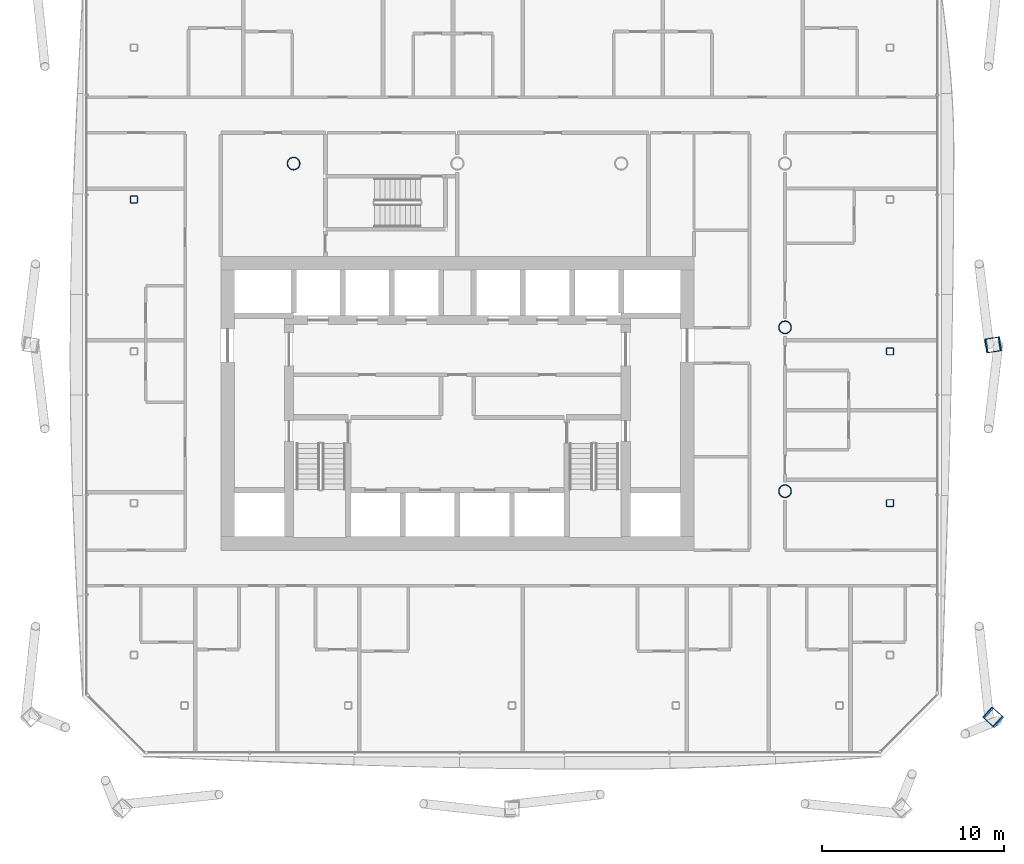
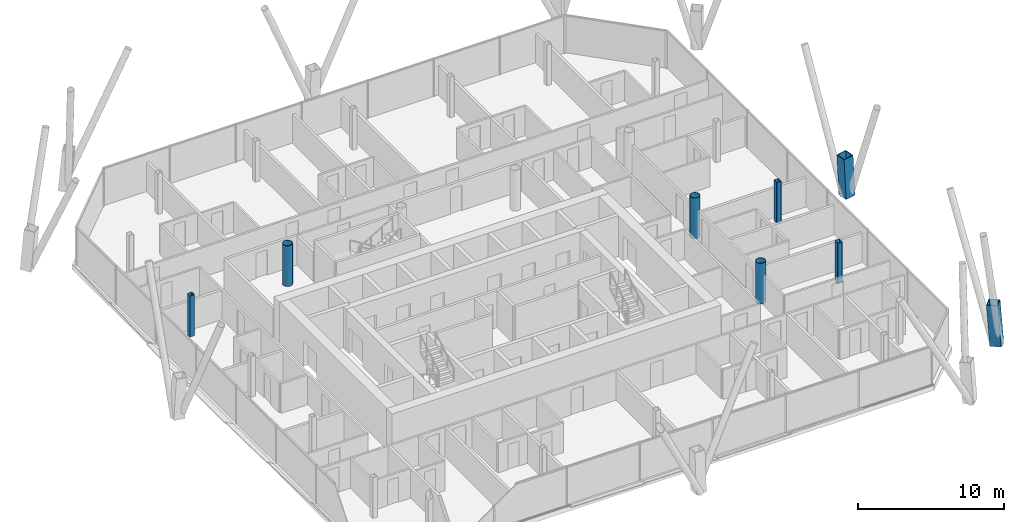
# One storey, part 2 of 22: 8 columns.
"""IFC4 building model written with IfcOpenShell, lengths in metres."""

from ifc_helpers import new_model, si_unit, direction, frame, origin, origin_2d, place, context, subcontext, project, spatial, hollow_rectangle, hollow_circle, extrude, material, material_profile, profile_set, type_object, element, save


model = new_model("IFC4")

# Units and contexts
model_context = context("Model", 3, precision=1e-05, world=origin(), true_north=direction((0.0, 1.0)))
body_context = subcontext(model_context, "Body", "Model", "MODEL_VIEW")
ifc_project = project(units=[si_unit("LENGTHUNIT", "METRE"), si_unit("AREAUNIT", "SQUARE_METRE"), si_unit("VOLUMEUNIT", "CUBIC_METRE"), si_unit("PLANEANGLEUNIT", "RADIAN"), si_unit("MASSUNIT", "GRAM", prefix="KILO")], contexts=[model_context])

# Site, building, storey
site_placement = place(None, origin())
site = spatial("IfcSite", under=ifc_project, at=site_placement, CompositionType="ELEMENT")
building_placement = place(site_placement, origin())
building = spatial("IfcBuilding", under=site, at=building_placement, Name="Tskaro Facet Tower", CompositionType="ELEMENT")
storey_placement = place(building_placement, frame((0.0, 0.0, 121.5)))
storey = spatial("IfcBuildingStorey", under=building, at=storey_placement, Name="L28", CompositionType="ELEMENT", Elevation=121.5)

# Columns
ifc_material_1 = material(Name="Steel S460M", Category="steel")
ifc_material_profile_1 = material_profile(ifc_material_1, hollow_rectangle(XDim=0.800048828125, YDim=0.800048828125, WallThickness=0.050048828125, at=origin_2d()), Name="BOX 800x800x50")
ifc_profile_set_1 = profile_set([ifc_material_profile_1], Name="Steel S460M")
column_type_1 = type_object("IfcColumnType", Name="BOX 800x800x50 mega column", PredefinedType="COLUMN", material=ifc_profile_set_1)
column_1_placement = place(storey_placement, frame((29.467041015625, -21.450927734375, 0.0), z_axis=(-0.0537135971, 0.048986800555, 0.997354070959), x_axis=(-0.673848784787, -0.738869281565, 0.0)))
element("IfcColumn", 1, at=column_1_placement, inside=storey, type_object=column_type_1, Name="BOX 800x800x50 MC04/3", PredefinedType="COLUMN", context=body_context, shape_type="SweptSolid", body=[
    extrude(hollow_rectangle(XDim=0.800048828125, YDim=0.800048828125, WallThickness=0.050048828125, at=origin_2d()), origin(), (0.0, 0.0, 1.0), 3.408935546875),
])
column_2_placement = place(storey_placement, frame((29.467041015625, -0.95703125, 0.0), z_axis=(-0.053776204111, -0.008532491052, 0.998516557934), x_axis=(0.156706377373, -0.987645235543, 0.0)))
element("IfcColumn", 2, at=column_2_placement, inside=storey, type_object=column_type_1, Name="BOX 800x800x50 MC05/3", PredefinedType="COLUMN", context=body_context, shape_type="SweptSolid", body=[
    extrude(hollow_rectangle(XDim=0.800048828125, YDim=0.800048828125, WallThickness=0.050048828125, at=origin_2d()), origin(), (0.0, 0.0, 1.0), 3.405029296875),
])
ifc_material_2 = material(Name="Steel S355J2H", Category="steel")
ifc_material_profile_2 = material_profile(ifc_material_2, hollow_circle(Radius=0.35546875, WallThickness=0.031982421875, at=origin_2d()), Name="CHS 711x32")
ifc_profile_set_2 = profile_set([ifc_material_profile_2], Name="Steel S355J2H")
column_type_2 = type_object("IfcColumnType", Name="CHS 711x32 interior column", PredefinedType="COLUMN", material=ifc_profile_set_2)
for number, where, z_axis, x_axis, name in (
    (3, (-9.0, 9.0, 0.0), (0.0, 0.0, 1.0), (1.0, 0.0, 0.0), "CHS 711x32 C3E/3"),
    (4, (18.0, -9.0, 0.0), (0.0, 0.0, 1.0), (1.0, 0.0, 0.0), "CHS 711x32 C6C/3"),
    (5, (18.0, 0.0, 0.0), (0.0, 0.0, 1.0), (1.0, 0.0, 0.0), "CHS 711x32 C6D/3"),
):
    element("IfcColumn", number, at=place(storey_placement, frame(where, z_axis=z_axis, x_axis=x_axis)), inside=storey, type_object=column_type_2, Name=name, PredefinedType="COLUMN", context=body_context, shape_type="SweptSolid", body=[
        extrude(hollow_circle(Radius=0.35546875, WallThickness=0.031982421875, at=origin_2d()), origin(), (0.0, 0.0, 1.0), 3.39990234375),
    ])
ifc_material_profile_3 = material_profile(ifc_material_2, hollow_rectangle(XDim=0.39990234375, YDim=0.39990234375, WallThickness=0.02001953125, InnerFilletRadius=0.030029296875, OuterFilletRadius=0.050048828125, at=origin_2d()), Name="SHS 400x400x20")
ifc_profile_set_3 = profile_set([ifc_material_profile_3], Name="Steel S355J2H")
column_type_3 = type_object("IfcColumnType", Name="SHS 400x400x20 ring column", PredefinedType="COLUMN", material=ifc_profile_set_3)
for number, where, z_axis, x_axis, name in (
    (6, (23.77392578125, -9.656982421875, 0.0), (0.0, 0.0, 1.0), (1.0, 0.0, 0.0), "SHS 400x400x20 RE-2/3"),
    (7, (23.77392578125, -1.31591796875, 0.0), (0.0, 0.0, 1.0), (1.0, 0.0, 0.0), "SHS 400x400x20 RE-3/3"),
    (8, (-17.77392578125, 7.02587890625, 0.0), (0.0, 0.0, 1.0), (1.0, 0.0, 0.0), "SHS 400x400x20 RW-2/3"),
):
    element("IfcColumn", number, at=place(storey_placement, frame(where, z_axis=z_axis, x_axis=x_axis)), inside=storey, type_object=column_type_3, Name=name, PredefinedType="COLUMN", context=body_context, shape_type="SweptSolid", body=[
        extrude(hollow_rectangle(XDim=0.39990234375, YDim=0.39990234375, WallThickness=0.02001953125, InnerFilletRadius=0.030029296875, OuterFilletRadius=0.050048828125, at=origin_2d()), origin(), (0.0, 0.0, 1.0), 3.39990234375),
    ])

save(model, "model.ifc")
